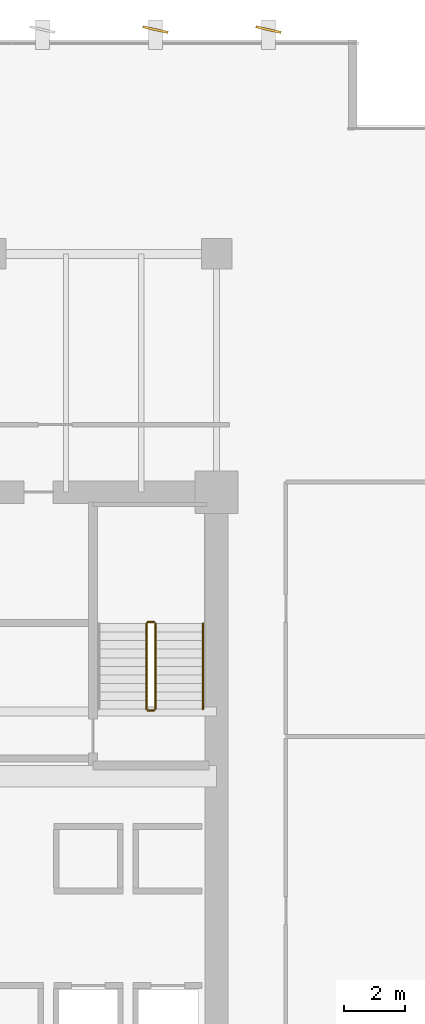
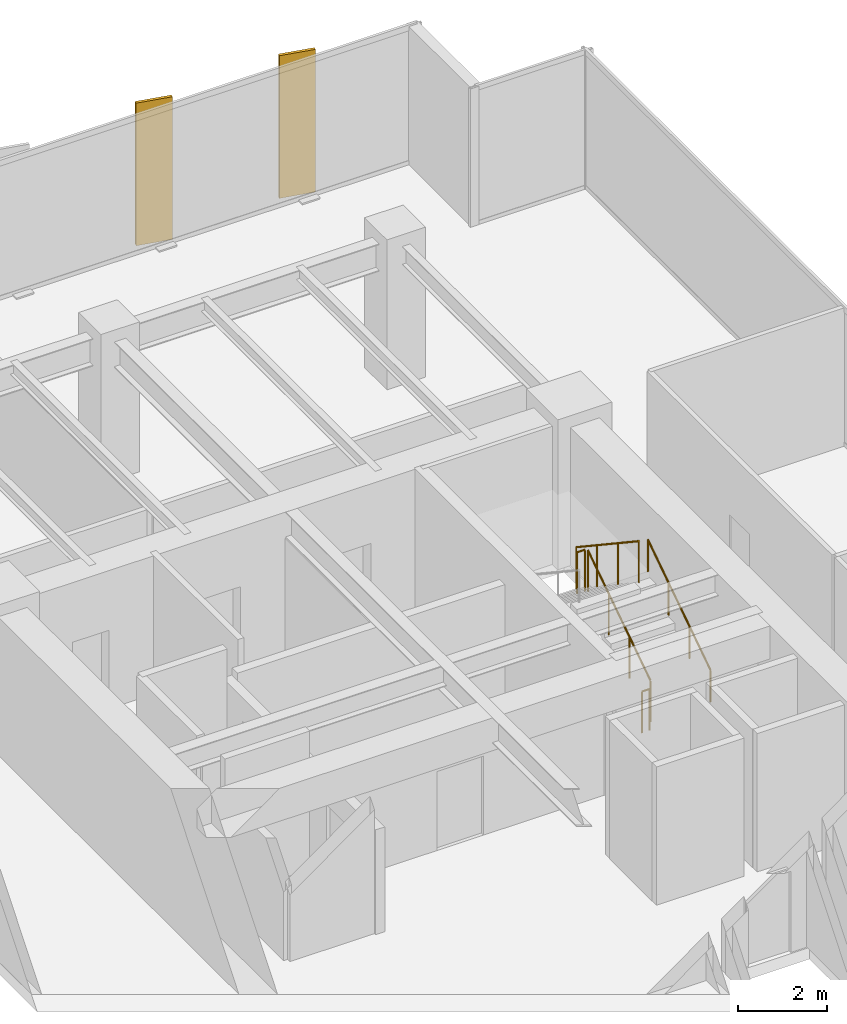
# One storey, part 36 of 36: 5 railings, 2 shading devices.
"""IFC4 building model written with IfcOpenShell, lengths in metres."""

from ifc_helpers import new_model, si_unit, direction, frame, origin, origin_2d, place, context, subcontext, project, spatial, rectangle, circle, extrude, source, transform, mapped, material, material_profile, profile_set, type_object, type_shapes, element, save


model = new_model("IFC4")

# Units and contexts
model_context = context("Model", 3, precision=1e-05, world=origin(), true_north=direction((0.0, 1.0)))
body_context = subcontext(model_context, "Body", "Model", "MODEL_VIEW")
ifc_project = project(units=[si_unit("LENGTHUNIT", "METRE"), si_unit("AREAUNIT", "SQUARE_METRE"), si_unit("VOLUMEUNIT", "CUBIC_METRE"), si_unit("PLANEANGLEUNIT", "RADIAN"), si_unit("MASSUNIT", "GRAM", prefix="KILO")], contexts=[model_context])

# Site, building, storey
site_placement = place(None, origin())
site = spatial("IfcSite", under=ifc_project, at=site_placement, CompositionType="ELEMENT")
building_placement = place(site_placement, origin())
building = spatial("IfcBuilding", under=site, at=building_placement, Name="Haelvirn Gate Laboratories", CompositionType="ELEMENT")
storey_placement = place(building_placement, frame((0.0, 0.0, 29.300048828125)))
storey = spatial("IfcBuildingStorey", under=building, at=storey_placement, Name="L07", CompositionType="ELEMENT", Elevation=29.300048828125)

# Shading devices
ifc_material_1 = material(Name="Extruded aluminium 6063-T6 (anodised bronze)", Category="aluminium")
ifc_material_profile = material_profile(ifc_material_1, rectangle(XDim=0.074951171875, YDim=0.85009765625, at=origin_2d()), Name="FIN-850x75")
ifc_profile_set = profile_set([ifc_material_profile], Name="Extruded aluminium 6063-T6 (anodised bronze)")
shading_device_type = type_object("IfcShadingDeviceType", Name="SHD-FIN-850", PredefinedType="USERDEFINED", material=ifc_profile_set)
shared_shape_1 = source(origin(), body_context, "Body", "SweptSolid", [
    extrude(rectangle(XDim=0.074951171875, YDim=0.85009765625, at=origin_2d()), origin(), (0.0, 0.0, 1.0), 3.89990234375),
])
type_shapes(shading_device_type, [shared_shape_1])
for number, where, z_axis, x_axis, name in (
    (1, (65.39990234375, 48.945068359375, -0.179931640625), (0.0, 0.0, 1.0), (0.221548497619, 0.975149354306, 0.0), "L07 Fluted Bronze Vertical Fin N08"),
    (2, (69.10009765625, 48.945068359375, -0.179931640625), (0.0, 0.0, 1.0), (0.221548497619, 0.975149354306, 0.0), "L07 Fluted Bronze Vertical Fin N09"),
):
    element("IfcShadingDevice", number, at=place(storey_placement, frame(where, z_axis=z_axis, x_axis=x_axis)), inside=storey, type_object=shading_device_type, Name=name, ObjectType="FIN", PredefinedType="USERDEFINED", context=body_context, shape_type="MappedRepresentation", body=[
        mapped(shared_shape_1, transform((0.0, 0.0, 0.0), scale=1.0)),
    ])

# Railings
ifc_material_2 = material(Name="Galvanised steel SM355 & stainless top rail", Category="steel")
railing_type_1 = type_object("IfcRailingType", Name="RL-GUARD-1150", PredefinedType="GUARDRAIL", material=ifc_material_2)
shared_shape_2 = source(origin(), body_context, "Body", "SweptSolid", [
    extrude(circle(Radius=0.02392578125, at=origin_2d()), frame((0.0, 0.0, 1.1259765625), z_axis=(0.0, 0.832452072856, 0.554097055034), x_axis=(-1.0, 0.0, 0.0)), (0.0, 0.0, 1.0), 3.363525390625),
    extrude(circle(Radius=0.02099609375, at=origin_2d()), origin(), (0.0, 0.0, 1.0), 1.101806640625),
    extrude(circle(Radius=0.02099609375, at=origin_2d()), frame((0.0, 0.933349609375, 0.621337890625)), (0.0, 0.0, 1.0), 1.101806640625),
    extrude(circle(Radius=0.02099609375, at=origin_2d()), frame((0.0, 1.86669921875, 1.242431640625)), (0.0, 0.0, 1.0), 1.101806640625),
    extrude(circle(Radius=0.02099609375, at=origin_2d()), frame((0.0, 2.800048828125, 1.86376953125)), (0.0, 0.0, 1.0), 1.101806640625),
])
railing_1_placement = place(storey_placement, frame((65.39990234375, 26.699951171875, 0.186279296875)))
element("IfcRailing", 3, at=railing_1_placement, inside=storey, type_object=railing_type_1, Name="L07 ST2 stair guard 1", PredefinedType="GUARDRAIL", context=body_context, shape_type="MappedRepresentation", body=[
    mapped(shared_shape_2, transform((0.0, 0.0, 0.0), scale=1.0)),
])
shared_shape_3 = source(origin(), body_context, "Body", "SweptSolid", [
    extrude(circle(Radius=0.02392578125, at=origin_2d()), frame((0.0, 0.0, 1.1259765625), z_axis=(0.0, -0.832485552168, 0.554046753832), x_axis=(1.0, 0.0, 0.0)), (0.0, 0.0, 1.0), 3.363525390625),
    extrude(circle(Radius=0.02099609375, at=origin_2d()), origin(), (0.0, 0.0, 1.0), 1.101806640625),
    extrude(circle(Radius=0.02099609375, at=origin_2d()), frame((0.0, -0.933349609375, 0.62109375)), (0.0, 0.0, 1.0), 1.101806640625),
    extrude(circle(Radius=0.02099609375, at=origin_2d()), frame((0.0, -1.86669921875, 1.242431640625)), (0.0, 0.0, 1.0), 1.101806640625),
    extrude(circle(Radius=0.02099609375, at=origin_2d()), frame((0.0, -2.800048828125, 1.863525390625)), (0.0, 0.0, 1.0), 1.101806640625),
])
railing_2_placement = place(storey_placement, frame((65.10009765625, 29.5, 2.236328125)))
element("IfcRailing", 4, at=railing_2_placement, inside=storey, type_object=railing_type_1, Name="L07 ST2 stair guard 3", PredefinedType="GUARDRAIL", context=body_context, shape_type="MappedRepresentation", body=[
    mapped(shared_shape_3, transform((0.0, 0.0, 0.0), scale=1.0)),
])
ifc_material_3 = material(Name="Brushed stainless steel 316L", Category="steel")
railing_type_2 = type_object("IfcRailingType", Name="RL-HAND-920", PredefinedType="HANDRAIL", material=ifc_material_3)
shared_shape_4 = source(origin(), body_context, "Body", "SweptSolid", [
    extrude(circle(Radius=0.02392578125, at=origin_2d()), frame((0.0, 0.0, 0.8759765625), z_axis=(0.0, 0.832452072856, 0.554097055034), x_axis=(-1.0, 0.0, 0.0)), (0.0, 0.0, 1.0), 3.363525390625),
    extrude(circle(Radius=0.02099609375, at=origin_2d()), origin(), (0.0, 0.0, 1.0), 0.851806640625),
    extrude(circle(Radius=0.02099609375, at=origin_2d()), frame((0.0, 0.933349609375, 0.621337890625)), (0.0, 0.0, 1.0), 0.851806640625),
    extrude(circle(Radius=0.02099609375, at=origin_2d()), frame((0.0, 1.86669921875, 1.242431640625)), (0.0, 0.0, 1.0), 0.851806640625),
    extrude(circle(Radius=0.02099609375, at=origin_2d()), frame((0.0, 2.800048828125, 1.86376953125)), (0.0, 0.0, 1.0), 0.851806640625),
])
type_shapes(railing_type_2, [shared_shape_4])
railing_3_placement = place(storey_placement, frame((66.949951171875, 26.699951171875, 0.186279296875)))
element("IfcRailing", 5, at=railing_3_placement, inside=storey, type_object=railing_type_2, Name="L07 ST2 stair handrail 1", PredefinedType="HANDRAIL", context=body_context, shape_type="MappedRepresentation", body=[
    mapped(shared_shape_4, transform((0.0, 0.0, 0.0), scale=1.0)),
])
shared_shape_5 = source(origin(), body_context, "Body", "SweptSolid", [
    extrude(circle(Radius=0.02392578125, at=origin_2d()), frame((0.0, 0.0, 1.1259765625), z_axis=(-1.0, 0.0, 0.0), x_axis=(0.0, -1.0, 0.0)), (0.0, 0.0, 1.0), 0.2001953125),
    extrude(circle(Radius=0.02099609375, at=origin_2d()), origin(), (0.0, 0.0, 1.0), 1.101806640625),
    extrude(circle(Radius=0.02099609375, at=origin_2d()), frame((-0.2001953125, 0.0, 0.0)), (0.0, 0.0, 1.0), 1.101806640625),
])
type_shapes(railing_type_1, [shared_shape_2, shared_shape_3, shared_shape_5])
for number, where, name in (
    (6, (65.35009765625, 29.550048828125, 2.050048828125), "L07 ST2 stair guard 2"),
    (7, (65.35009765625, 26.64990234375, 0.0), "L07 ST2 stair guard 4"),
):
    element("IfcRailing", number, at=place(storey_placement, frame(where)), inside=storey, type_object=railing_type_1, Name=name, PredefinedType="GUARDRAIL", context=body_context, shape_type="MappedRepresentation", body=[
        mapped(shared_shape_5, transform((0.0, 0.0, 0.0), scale=1.0)),
    ])

save(model, "model.ifc")
